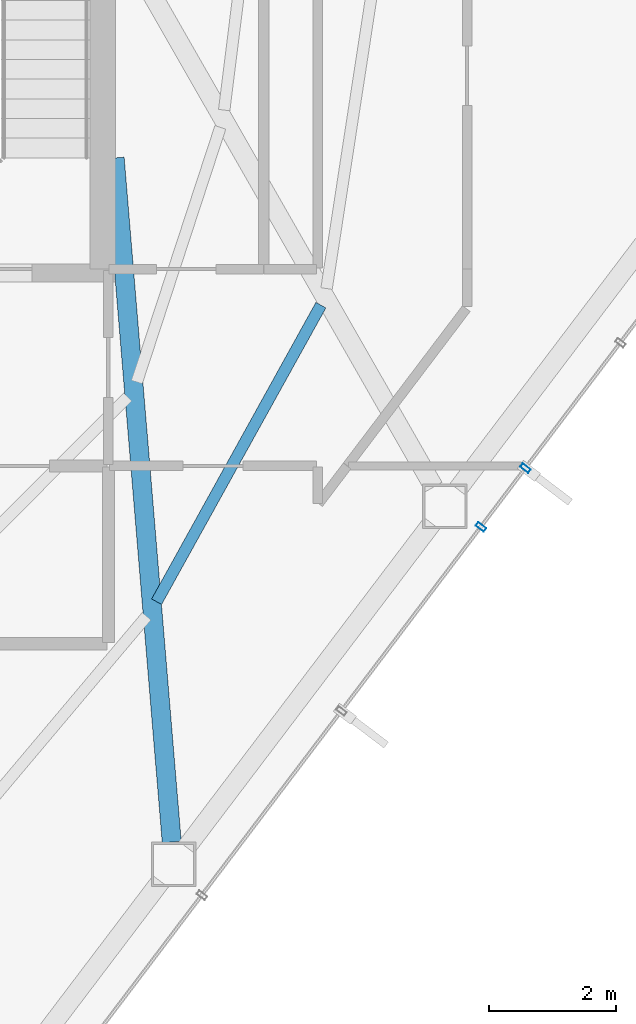
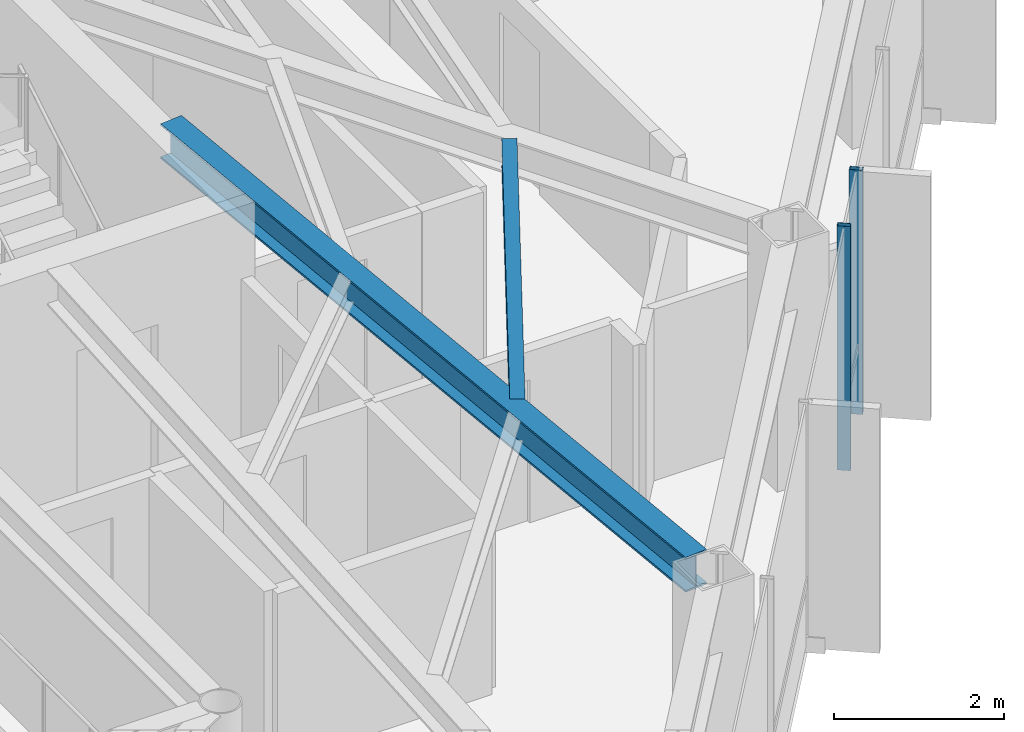
# One storey, part 17 of 28: 2 beams, 2 members, 1 element without a shape of its own.
"""IFC4 building model written with IfcOpenShell, lengths in metres."""

from ifc_helpers import new_model, si_unit, direction, frame, origin, origin_2d, place, context, subcontext, project, spatial, hollow_rectangle, i_section, extrude, material, layer, layer_set, material_profile, profile_set, type_object, element, aggregate, save


model = new_model("IFC4")

# Units and contexts
model_context = context("Model", 3, precision=1e-05, world=origin(), true_north=direction((0.0, 1.0)))
body_context = subcontext(model_context, "Body", "Model", "MODEL_VIEW")
ifc_project = project(units=[si_unit("LENGTHUNIT", "METRE"), si_unit("AREAUNIT", "SQUARE_METRE"), si_unit("VOLUMEUNIT", "CUBIC_METRE"), si_unit("PLANEANGLEUNIT", "RADIAN"), si_unit("MASSUNIT", "GRAM", prefix="KILO")], contexts=[model_context])

# Site, building, storey
site_placement = place(None, origin())
site = spatial("IfcSite", under=ifc_project, at=site_placement, CompositionType="ELEMENT")
building_placement = place(site_placement, origin())
building = spatial("IfcBuilding", under=site, at=building_placement, Name="Zarrinselat Tower", CompositionType="ELEMENT")
storey_placement = place(building_placement, frame((0.0, 0.0, 187.0)))
storey = spatial("IfcBuildingStorey", under=building, at=storey_placement, Name="L46", CompositionType="ELEMENT", Elevation=187.0)

# Beams
ifc_material_1 = material(Name="Steel S355J2", Category="steel")
ifc_material_profile_1 = material_profile(ifc_material_1, i_section(OverallWidth=0.300048828125, OverallDepth=0.5, WebThickness=0.014404296875, FlangeThickness=0.028076171875, at=origin_2d()), Name="HEB 500")
ifc_profile_set_1 = profile_set([ifc_material_profile_1], Name="Steel S355J2")
beam_type_1 = type_object("IfcBeamType", Name="BM-HEB500", PredefinedType="BEAM", material=ifc_profile_set_1)
beam_1_placement = place(storey_placement, frame((48.449951171875, 35.0, 3.25), z_axis=(0.083155753509, -0.99653656263, 0.0), x_axis=(0.99653656263, 0.083155753509, 0.0)))
element("IfcBeam", 1, at=beam_1_placement, inside=storey, type_object=beam_type_1, Name="L46 Radial Primary Girder RG12", PredefinedType="BEAM", context=body_context, shape_type="SweptSolid", body=[
    extrude(i_section(OverallWidth=0.300048828125, OverallDepth=0.5, WebThickness=0.014404296875, FlangeThickness=0.028076171875, at=origin_2d()), origin(), (0.0, 0.0, 1.0), 10.81005859375),
])
ifc_material_2 = material(Name="Steel S355J2", Category="steel")
ifc_material_profile_2 = material_profile(ifc_material_2, i_section(OverallWidth=0.179931640625, OverallDepth=0.39990234375, WebThickness=0.008544921875, FlangeThickness=0.013427734375, at=origin_2d()), Name="IPE 400")
ifc_profile_set_2 = profile_set([ifc_material_profile_2], Name="Steel S355J2")
beam_type_2 = type_object("IfcBeamType", Name="BM-IPE400", PredefinedType="JOIST", material=ifc_profile_set_2)
beam_2_placement = place(storey_placement, frame((49.111083984375, 28.012451171875, 3.300048828125), z_axis=(0.48459028145, 0.874741252671, 0.0), x_axis=(-0.874741252671, 0.48459028145, 0.0)))
element("IfcBeam", 2, at=beam_2_placement, inside=storey, type_object=beam_type_2, Name="L46 Composite Floor Joist 4-1", PredefinedType="JOIST", context=body_context, shape_type="SweptSolid", body=[
    extrude(i_section(OverallWidth=0.179931640625, OverallDepth=0.39990234375, WebThickness=0.008544921875, FlangeThickness=0.013427734375, at=origin_2d()), origin(), (0.0, 0.0, 1.0), 5.33837890625),
])

# Curtain wall, members
ifc_material_3 = material(Name="Extruded Aluminium Alloy EN AW-6063 T6", Category="aluminium")
ifc_layer = layer(ifc_material_3, 0.175048828125)
ifc_layer_set = layer_set([ifc_layer], Name="Extruded Aluminium Alloy EN AW-6063 T6")
curtain_wall_type = type_object("IfcCurtainWallType", Name="CWS-HTL", PredefinedType="NOTDEFINED", material=ifc_layer_set)
curtain_wall_placement = place(storey_placement, origin())
curtain_wall = element("IfcCurtainWall", 3, at=curtain_wall_placement, inside=storey, type_object=curtain_wall_type, Name="L46 Unitised Curtain Wall CW-L46-E05", PredefinedType="NOTDEFINED")
ifc_material_4 = material(Name="Extruded Aluminium Alloy EN AW-6063 T6", Category="aluminium")
ifc_material_profile_3 = material_profile(ifc_material_4, hollow_rectangle(XDim=0.070068359375, YDim=0.159912109375, WallThickness=0.00390625, at=origin_2d()), Name="RHS 160x70x4")
ifc_profile_set_3 = profile_set([ifc_material_profile_3], Name="Extruded Aluminium Alloy EN AW-6063 T6")
member_type = type_object("IfcMemberType", Name="MEM-CW-MUL2", PredefinedType="MULLION", material=ifc_profile_set_3)
member_1_placement = place(storey_placement, frame((54.218017578125, 29.188720703125, 0.0), z_axis=(0.0, 0.0, 1.0), x_axis=(0.603856629551, 0.797092950005, 0.0)))
member_1 = element("IfcMember", 4, at=member_1_placement, type_object=member_type, Name="CW-L46-E05 Mullion 4", PredefinedType="MULLION", context=body_context, shape_type="SweptSolid", body=[
    extrude(hollow_rectangle(XDim=0.070068359375, YDim=0.159912109375, WallThickness=0.00390625, at=origin_2d()), origin(), (0.0, 0.0, 1.0), 3.5),
])
member_2_placement = place(storey_placement, frame((54.918701171875, 30.11376953125, 0.0), z_axis=(0.0, 0.0, 1.0), x_axis=(0.603856629551, 0.797092950005, 0.0)))
member_2 = element("IfcMember", 5, at=member_2_placement, type_object=member_type, Name="CW-L46-E05 Mullion 5", PredefinedType="MULLION", context=body_context, shape_type="SweptSolid", body=[
    extrude(hollow_rectangle(XDim=0.070068359375, YDim=0.159912109375, WallThickness=0.00390625, at=origin_2d()), origin(), (0.0, 0.0, 1.0), 3.5),
])
aggregate(curtain_wall, [member_1, member_2])

save(model, "model.ifc")
